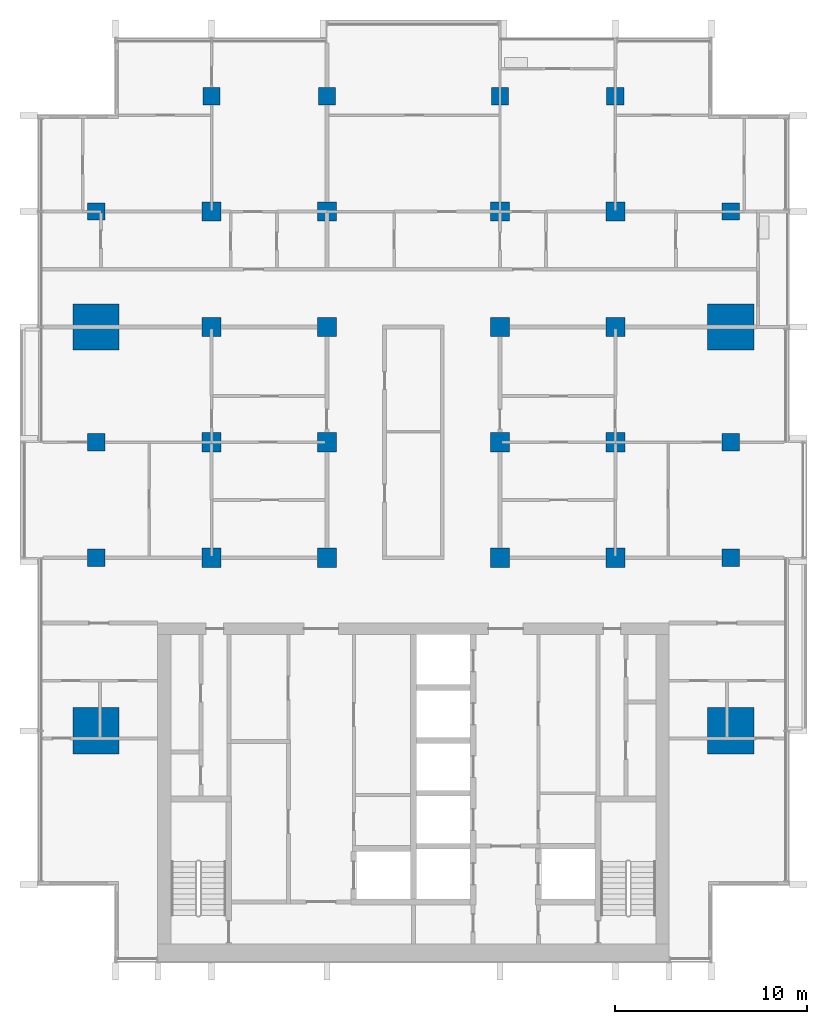
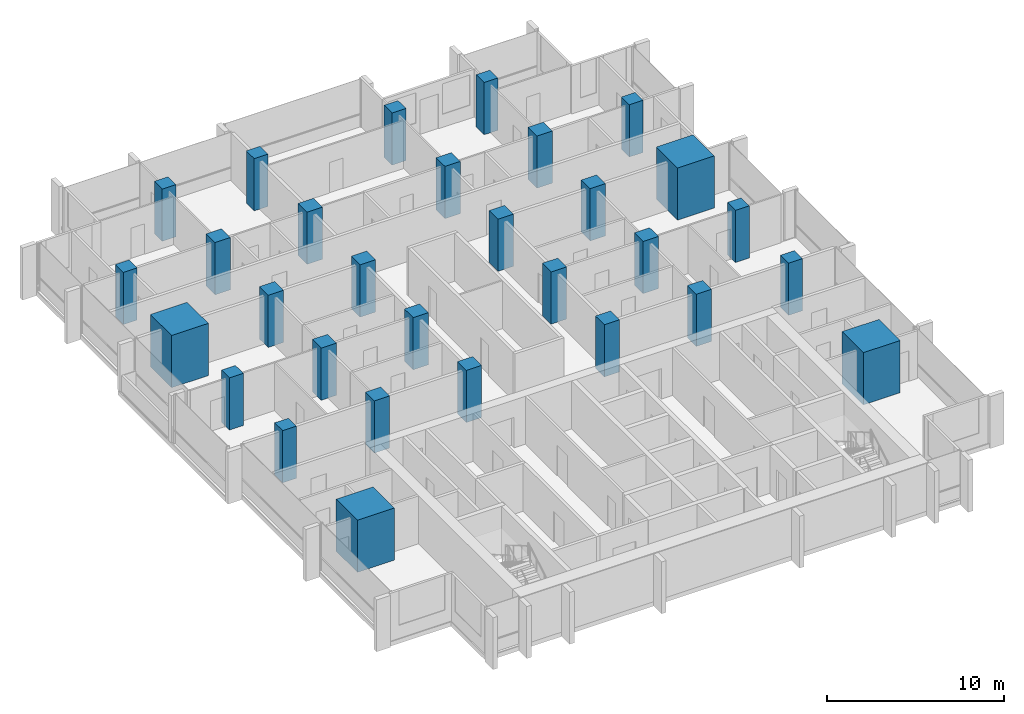
# One storey, part 1 of 17: 30 columns.
"""IFC4 building model written with IfcOpenShell, lengths in metres."""

from ifc_helpers import new_model, si_unit, direction, frame, origin, origin_2d, place, context, subcontext, project, spatial, rectangle, extrude, material, material_profile, profile_set, type_object, element, save


model = new_model("IFC4")

# Units and contexts
model_context = context("Model", 3, precision=1e-05, world=origin(), true_north=direction((0.0, 1.0)))
body_context = subcontext(model_context, "Body", "Model", "MODEL_VIEW")
ifc_project = project(units=[si_unit("LENGTHUNIT", "METRE"), si_unit("AREAUNIT", "SQUARE_METRE"), si_unit("VOLUMEUNIT", "CUBIC_METRE"), si_unit("PLANEANGLEUNIT", "RADIAN"), si_unit("MASSUNIT", "GRAM", prefix="KILO")], contexts=[model_context])

# Site, building, storey
site_placement = place(None, origin())
site = spatial("IfcSite", under=ifc_project, at=site_placement, CompositionType="ELEMENT")
building_placement = place(site_placement, origin())
building = spatial("IfcBuilding", under=site, at=building_placement, Name="Finial Court Residences", CompositionType="ELEMENT")
storey_placement = place(building_placement, frame((0.0, 0.0, 170.89990234375)))
storey = spatial("IfcBuildingStorey", under=building, at=storey_placement, Name="L42", CompositionType="ELEMENT", Elevation=170.89990234375)

# Columns
ifc_material = material(Name="Concrete C60/75", Category="concrete")
ifc_material_profile_1 = material_profile(ifc_material, rectangle(XDim=1.0, YDim=1.0, at=origin_2d()), Name="1000x1000")
ifc_profile_set_1 = profile_set([ifc_material_profile_1], Name="Concrete C60/75")
column_type_1 = type_object("IfcColumnType", Name="Interior column 1000x1000 Concrete C60/75", PredefinedType="COLUMN", material=ifc_profile_set_1)
for number, where, z_axis, x_axis, name in (
    (1, (-10.5, -4.5, 0.0), (0.0, 0.0, 1.0), (1.0, 0.0, 0.0), "S:COL:L42:D4"),
    (2, (-10.5, 1.5, 0.0), (0.0, 0.0, 1.0), (1.0, 0.0, 0.0), "S:COL:L42:D5"),
    (3, (-10.5, 7.5, 0.0), (0.0, 0.0, 1.0), (1.0, 0.0, 0.0), "S:COL:L42:D6"),
    (4, (-10.5, 13.5, 0.0), (0.0, 0.0, 1.0), (1.0, 0.0, 0.0), "S:COL:L42:D7"),
    (5, (-4.5, -4.5, 0.0), (0.0, 0.0, 1.0), (1.0, 0.0, 0.0), "S:COL:L42:E4"),
    (6, (-4.5, 1.5, 0.0), (0.0, 0.0, 1.0), (1.0, 0.0, 0.0), "S:COL:L42:E5"),
    (7, (-4.5, 7.5, 0.0), (0.0, 0.0, 1.0), (1.0, 0.0, 0.0), "S:COL:L42:E6"),
    (8, (-4.5, 13.5, 0.0), (0.0, 0.0, 1.0), (1.0, 0.0, 0.0), "S:COL:L42:E7"),
    (9, (4.5, -4.5, 0.0), (0.0, 0.0, 1.0), (1.0, 0.0, 0.0), "S:COL:L42:F4"),
    (10, (4.5, 1.5, 0.0), (0.0, 0.0, 1.0), (1.0, 0.0, 0.0), "S:COL:L42:F5"),
    (11, (4.5, 7.5, 0.0), (0.0, 0.0, 1.0), (1.0, 0.0, 0.0), "S:COL:L42:F6"),
    (12, (4.5, 13.5, 0.0), (0.0, 0.0, 1.0), (1.0, 0.0, 0.0), "S:COL:L42:F7"),
    (13, (10.5, -4.5, 0.0), (0.0, 0.0, 1.0), (1.0, 0.0, 0.0), "S:COL:L42:G4"),
    (14, (10.5, 1.5, 0.0), (0.0, 0.0, 1.0), (1.0, 0.0, 0.0), "S:COL:L42:G5"),
    (15, (10.5, 7.5, 0.0), (0.0, 0.0, 1.0), (1.0, 0.0, 0.0), "S:COL:L42:G6"),
    (16, (10.5, 13.5, 0.0), (0.0, 0.0, 1.0), (1.0, 0.0, 0.0), "S:COL:L42:G7"),
):
    element("IfcColumn", number, at=place(storey_placement, frame(where, z_axis=z_axis, x_axis=x_axis)), inside=storey, type_object=column_type_1, Name=name, PredefinedType="COLUMN", context=body_context, shape_type="SweptSolid", body=[
        extrude(rectangle(XDim=1.0, YDim=1.0, at=origin_2d()), origin(), (0.0, 0.0, 1.0), 3.60009765625),
    ])
ifc_material_profile_2 = material_profile(ifc_material, rectangle(XDim=2.39990234375, YDim=2.39990234375, at=origin_2d()), Name="2400x2400")
ifc_profile_set_2 = profile_set([ifc_material_profile_2], Name="Concrete C60/75")
column_type_2 = type_object("IfcColumnType", Name="Mega column 2400x2400 Concrete C60/75", PredefinedType="COLUMN", material=ifc_profile_set_2)
for number, where, z_axis, x_axis, name in (
    (17, (-16.5, -13.5, 0.0), (0.0, 0.0, 1.0), (1.0, 0.0, 0.0), "S:COL:L42:C3"),
    (18, (-16.5, 7.5, 0.0), (0.0, 0.0, 1.0), (1.0, 0.0, 0.0), "S:COL:L42:C6"),
    (19, (16.5, -13.5, 0.0), (0.0, 0.0, 1.0), (1.0, 0.0, 0.0), "S:COL:L42:H3"),
    (20, (16.5, 7.5, 0.0), (0.0, 0.0, 1.0), (1.0, 0.0, 0.0), "S:COL:L42:H6"),
):
    element("IfcColumn", number, at=place(storey_placement, frame(where, z_axis=z_axis, x_axis=x_axis)), inside=storey, type_object=column_type_2, Name=name, PredefinedType="COLUMN", context=body_context, shape_type="SweptSolid", body=[
        extrude(rectangle(XDim=2.39990234375, YDim=2.39990234375, at=origin_2d()), origin(), (0.0, 0.0, 1.0), 3.60009765625),
    ])
ifc_material_profile_3 = material_profile(ifc_material, rectangle(XDim=0.89990234375, YDim=0.89990234375, at=origin_2d()), Name="900x900")
ifc_profile_set_3 = profile_set([ifc_material_profile_3], Name="Concrete C60/75")
column_type_3 = type_object("IfcColumnType", Name="Perimeter column 900x900 Concrete C60/75", PredefinedType="COLUMN", material=ifc_profile_set_3)
for number, where, z_axis, x_axis, name in (
    (21, (-16.5, -4.5, 0.0), (0.0, 0.0, 1.0), (1.0, 0.0, 0.0), "S:COL:L42:C4"),
    (22, (-16.5, 1.5, 0.0), (0.0, 0.0, 1.0), (1.0, 0.0, 0.0), "S:COL:L42:C5"),
    (23, (-16.5, 13.5, 0.0), (0.0, 0.0, 1.0), (1.0, 0.0, 0.0), "S:COL:L42:C7"),
    (24, (-10.5, 19.5, 0.0), (0.0, 0.0, 1.0), (1.0, 0.0, 0.0), "S:COL:L42:D8"),
    (25, (-4.5, 19.5, 0.0), (0.0, 0.0, 1.0), (1.0, 0.0, 0.0), "S:COL:L42:E8"),
    (26, (4.5, 19.5, 0.0), (0.0, 0.0, 1.0), (1.0, 0.0, 0.0), "S:COL:L42:F8"),
    (27, (10.5, 19.5, 0.0), (0.0, 0.0, 1.0), (1.0, 0.0, 0.0), "S:COL:L42:G8"),
    (28, (16.5, -4.5, 0.0), (0.0, 0.0, 1.0), (1.0, 0.0, 0.0), "S:COL:L42:H4"),
    (29, (16.5, 1.5, 0.0), (0.0, 0.0, 1.0), (1.0, 0.0, 0.0), "S:COL:L42:H5"),
    (30, (16.5, 13.5, 0.0), (0.0, 0.0, 1.0), (1.0, 0.0, 0.0), "S:COL:L42:H7"),
):
    element("IfcColumn", number, at=place(storey_placement, frame(where, z_axis=z_axis, x_axis=x_axis)), inside=storey, type_object=column_type_3, Name=name, PredefinedType="COLUMN", context=body_context, shape_type="SweptSolid", body=[
        extrude(rectangle(XDim=0.89990234375, YDim=0.89990234375, at=origin_2d()), origin(), (0.0, 0.0, 1.0), 3.60009765625),
    ])

save(model, "model.ifc")
